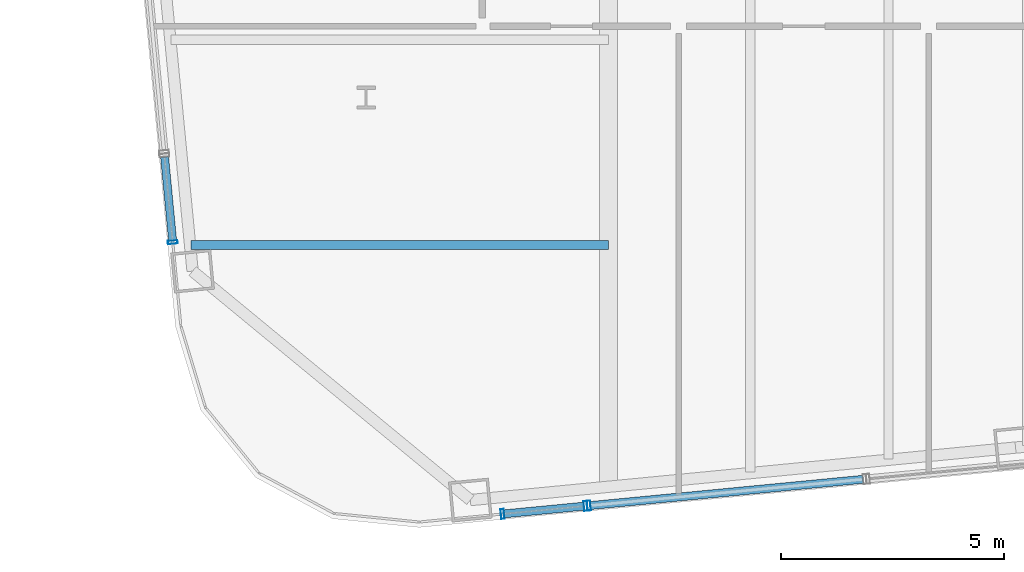
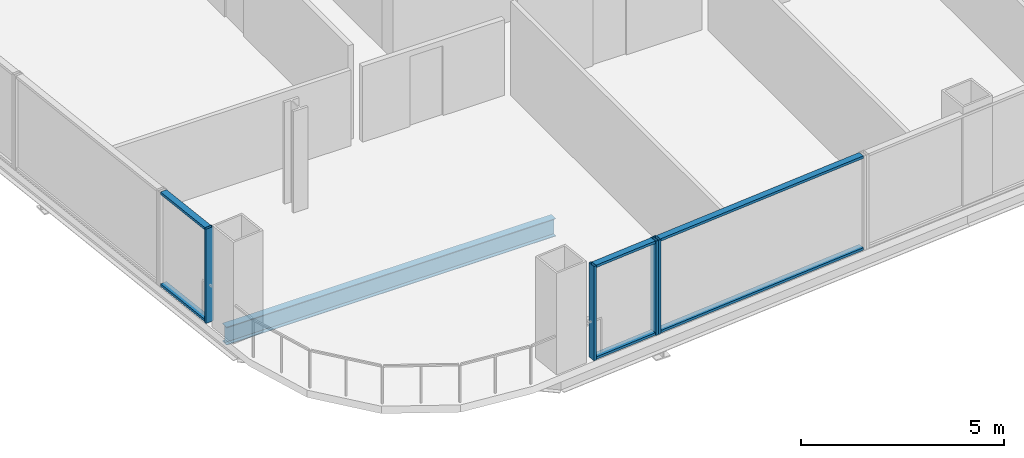
# One storey, part 2 of 34: 10 members, 1 beam, 3 elements without a shape of their own.
"""IFC4 building model written with IfcOpenShell, lengths in metres."""

from ifc_helpers import new_model, si_unit, direction, frame, origin, origin_2d, place, context, subcontext, project, spatial, hollow_rectangle, i_section, extrude, material, layer, layer_set, material_profile, profile_set, type_object, element, aggregate, save


model = new_model("IFC4")

# Units and contexts
model_context = context("Model", 3, precision=1e-05, world=origin(), true_north=direction((0.0, 1.0)))
body_context = subcontext(model_context, "Body", "Model", "MODEL_VIEW")
ifc_project = project(units=[si_unit("LENGTHUNIT", "METRE"), si_unit("AREAUNIT", "SQUARE_METRE"), si_unit("VOLUMEUNIT", "CUBIC_METRE"), si_unit("PLANEANGLEUNIT", "RADIAN"), si_unit("MASSUNIT", "GRAM", prefix="KILO")], contexts=[model_context])

# Site, building, storey
site_placement = place(None, origin())
site = spatial("IfcSite", under=ifc_project, at=site_placement, CompositionType="ELEMENT")
building_placement = place(site_placement, origin())
building = spatial("IfcBuilding", under=site, at=building_placement, Name="Qhalaya Broadcast Tower", CompositionType="ELEMENT")
storey_placement = place(building_placement, frame((0.0, 0.0, 78.60009765625)))
storey = spatial("IfcBuildingStorey", under=building, at=storey_placement, Name="L22", CompositionType="ELEMENT", Elevation=78.60009765625)

# Beam
ifc_material_1 = material(Name="Structural Steel ASTM A992 Grade 50", Category="steel")
ifc_material_profile_1 = material_profile(ifc_material_1, i_section(OverallWidth=0.2099609375, OverallDepth=0.535888671875, WebThickness=0.010986328125, FlangeThickness=0.017333984375, at=origin_2d()), Name="W21X68")
ifc_profile_set_1 = profile_set([ifc_material_profile_1], Name="Structural Steel ASTM A992 Grade 50")
beam_type = type_object("IfcBeamType", Name="Composite Floor Joist J02", PredefinedType="JOIST", material=ifc_profile_set_1)
beam_placement = place(storey_placement, frame((-18.7216796875, -16.5, -0.488037109375), z_axis=(1.0, 0.0, 0.0), x_axis=(0.0, 1.0, 0.0)))
element("IfcBeam", 1, at=beam_placement, inside=storey, type_object=beam_type, Name="L22 J02 L22-JWE1W-1", PredefinedType="JOIST", context=body_context, shape_type="SweptSolid", body=[
    extrude(i_section(OverallWidth=0.2099609375, OverallDepth=0.535888671875, WebThickness=0.010986328125, FlangeThickness=0.017333984375, at=origin_2d()), origin(), (0.0, 0.0, 1.0), 9.3466796875),
])

# Curtain wall, members
ifc_material_2 = material(Name="Solar-Control Low-E Triple Glazing", Category="glass")
ifc_layer_1 = layer(ifc_material_2, 0.219970703125, Name="Solar-Control Low-E Triple Glazing")
ifc_layer_set_1 = layer_set([ifc_layer_1], Name="Solar-Control Low-E Triple Glazing")
curtain_wall_type_1 = type_object("IfcCurtainWallType", Name="Even-Block 4-Storey Double-Module Curtain Wall CW-03", PredefinedType="NOTDEFINED", material=ifc_layer_set_1)
curtain_wall_1_placement = place(storey_placement, origin())
curtain_wall_1 = element("IfcCurtainWall", 2, at=curtain_wall_1_placement, inside=storey, type_object=curtain_wall_type_1, Name="L22 Unitised Curtain Wall L22-CW-S1", PredefinedType="NOTDEFINED")
ifc_material_3 = material(Name="Anodised Aluminium 6063-T6", Category="aluminium")
ifc_material_profile_2 = material_profile(ifc_material_3, hollow_rectangle(XDim=0.074951171875, YDim=0.219970703125, WallThickness=0.00390625, at=origin_2d()), Name="ALU-MUL 75x220x4")
ifc_profile_set_2 = profile_set([ifc_material_profile_2], Name="Anodised Aluminium 6063-T6")
member_type_1 = type_object("IfcMemberType", Name="Unitised Curtain-Wall Mullion M01", PredefinedType="MULLION", material=ifc_profile_set_2)
member_1_placement = place(storey_placement, frame((-11.74462890625, -22.52490234375, 0.0), z_axis=(0.0, 0.0, 1.0), x_axis=(0.99539780127, 0.095829104278, 0.0)))
member_1 = element("IfcMember", 3, at=member_1_placement, type_object=member_type_1, Name="CW-03 mullion 1", PredefinedType="MULLION", context=body_context, shape_type="SweptSolid", body=[
    extrude(hollow_rectangle(XDim=0.074951171875, YDim=0.219970703125, WallThickness=0.00390625, at=origin_2d()), origin(), (0.0, 0.0, 1.0), 2.829833984375),
])
member_2_placement = place(storey_placement, frame((-9.88525390625, -22.345947265625, 0.0), z_axis=(0.0, 0.0, 1.0), x_axis=(0.99539780127, 0.095829104278, 0.0)))
member_2 = element("IfcMember", 4, at=member_2_placement, type_object=member_type_1, Name="CW-03 mullion 2", PredefinedType="MULLION", context=body_context, shape_type="SweptSolid", body=[
    extrude(hollow_rectangle(XDim=0.074951171875, YDim=0.219970703125, WallThickness=0.00390625, at=origin_2d()), origin(), (0.0, 0.0, 1.0), 2.829833984375),
])

# Curtain wall, member
ifc_material_4 = material(Name="Fired Architectural Terracotta", Category="masonry")
ifc_layer_2 = layer(ifc_material_4, 0.219970703125, Name="Fired Architectural Terracotta")
ifc_layer_set_2 = layer_set([ifc_layer_2], Name="Fired Architectural Terracotta")
curtain_wall_type_2 = type_object("IfcCurtainWallType", Name="Block-Cap Unitised Terracotta Spandrel Wall CW-07", PredefinedType="NOTDEFINED", material=ifc_layer_set_2)
curtain_wall_2_placement = place(storey_placement, origin())
curtain_wall_2 = element("IfcCurtainWall", 5, at=curtain_wall_2_placement, inside=storey, type_object=curtain_wall_type_2, Name="L22 Unitised Curtain Wall L22-CW-S2", PredefinedType="NOTDEFINED")
member_3_placement = place(storey_placement, frame((-9.810546875, -22.3388671875, 0.0), z_axis=(0.0, 0.0, 1.0), x_axis=(0.995394666059, 0.095861664819, 0.0)))
member_3 = element("IfcMember", 6, at=member_3_placement, type_object=member_type_1, Name="CW-07 mullion 1", PredefinedType="MULLION", context=body_context, shape_type="SweptSolid", body=[
    extrude(hollow_rectangle(XDim=0.074951171875, YDim=0.219970703125, WallThickness=0.00390625, at=origin_2d()), origin(), (0.0, 0.0, 1.0), 2.829833984375),
])

curtain_wall_3_placement = place(storey_placement, origin())
curtain_wall_3 = element("IfcCurtainWall", 7, at=curtain_wall_3_placement, inside=storey, type_object=curtain_wall_type_1, Name="L22 Unitised Curtain Wall L22-CW-W7", PredefinedType="NOTDEFINED")
member_4_placement = place(storey_placement, frame((-19.129638671875, -16.437255859375, 0.0), z_axis=(0.0, 0.0, 1.0), x_axis=(0.095857964978, -0.995395022366, 0.0)))
member_4 = element("IfcMember", 8, at=member_4_placement, type_object=member_type_1, Name="CW-03 mullion 2", PredefinedType="MULLION", context=body_context, shape_type="SweptSolid", body=[
    extrude(hollow_rectangle(XDim=0.074951171875, YDim=0.219970703125, WallThickness=0.00390625, at=origin_2d()), origin(), (0.0, 0.0, 1.0), 2.829833984375),
])

# Member
ifc_material_profile_3 = material_profile(ifc_material_3, hollow_rectangle(XDim=0.074951171875, YDim=0.179931640625, WallThickness=0.00390625, at=origin_2d()), Name="ALU-TRN 75x180x4")
ifc_profile_set_3 = profile_set([ifc_material_profile_3], Name="Anodised Aluminium 6063-T6")
member_type_2 = type_object("IfcMemberType", Name="Unitised Curtain-Wall Transom T01", PredefinedType="USERDEFINED", material=ifc_profile_set_3)
member_5_placement = place(storey_placement, frame((-11.707275390625, -22.521484375, 0.037353515625), z_axis=(0.995394547598, 0.095862894871, 0.0), x_axis=(0.0, 0.0, 1.0)))
member_5 = element("IfcMember", 9, at=member_5_placement, type_object=member_type_2, Name="CW-03 transom 1.1", ObjectType="TRANSOM", PredefinedType="USERDEFINED", context=body_context, shape_type="SweptSolid", body=[
    extrude(hollow_rectangle(XDim=0.074951171875, YDim=0.179931640625, WallThickness=0.00390625, at=origin_2d()), origin(), (0.0, 0.0, 1.0), 1.79296875),
])

member_6_placement = place(storey_placement, frame((-11.707275390625, -22.521484375, 2.79248046875), z_axis=(0.995394547598, 0.095862894871, 0.0), x_axis=(0.0, 0.0, 1.0)))
member_6 = element("IfcMember", 10, at=member_6_placement, type_object=member_type_2, Name="CW-03 transom 1.2", ObjectType="TRANSOM", PredefinedType="USERDEFINED", context=body_context, shape_type="SweptSolid", body=[
    extrude(hollow_rectangle(XDim=0.074951171875, YDim=0.179931640625, WallThickness=0.00390625, at=origin_2d()), origin(), (0.0, 0.0, 1.0), 1.79296875),
])

aggregate(curtain_wall_1, [member_1, member_2, member_5, member_6])

member_7_placement = place(storey_placement, frame((-9.773193359375, -22.335205078125, 0.037353515625), z_axis=(0.995395594457, 0.095852024158, 0.0), x_axis=(0.0, 0.0, 1.0)))
member_7 = element("IfcMember", 11, at=member_7_placement, type_object=member_type_2, Name="CW-07 transom 1.1", ObjectType="TRANSOM", PredefinedType="USERDEFINED", context=body_context, shape_type="SweptSolid", body=[
    extrude(hollow_rectangle(XDim=0.074951171875, YDim=0.179931640625, WallThickness=0.00390625, at=origin_2d()), origin(), (0.0, 0.0, 1.0), 6.130859375),
])

member_8_placement = place(storey_placement, frame((-9.773193359375, -22.335205078125, 2.79248046875), z_axis=(0.995395594457, 0.095852024158, 0.0), x_axis=(0.0, 0.0, 1.0)))
member_8 = element("IfcMember", 12, at=member_8_placement, type_object=member_type_2, Name="CW-07 transom 1.2", ObjectType="TRANSOM", PredefinedType="USERDEFINED", context=body_context, shape_type="SweptSolid", body=[
    extrude(hollow_rectangle(XDim=0.074951171875, YDim=0.179931640625, WallThickness=0.00390625, at=origin_2d()), origin(), (0.0, 0.0, 1.0), 6.130859375),
])

aggregate(curtain_wall_2, [member_3, member_7, member_8])

member_9_placement = place(storey_placement, frame((-19.313232421875, -14.529541015625, 0.037353515625), z_axis=(0.095759446563, -0.995404504909, 0.0), x_axis=(0.0, 0.0, 1.0)))
member_9 = element("IfcMember", 13, at=member_9_placement, type_object=member_type_2, Name="CW-03 transom 1.1", ObjectType="TRANSOM", PredefinedType="USERDEFINED", context=body_context, shape_type="SweptSolid", body=[
    extrude(hollow_rectangle(XDim=0.074951171875, YDim=0.179931640625, WallThickness=0.00390625, at=origin_2d()), origin(), (0.0, 0.0, 1.0), 1.87890625),
])

member_10_placement = place(storey_placement, frame((-19.313232421875, -14.529541015625, 2.79248046875), z_axis=(0.095759446563, -0.995404504909, 0.0), x_axis=(0.0, 0.0, 1.0)))
member_10 = element("IfcMember", 14, at=member_10_placement, type_object=member_type_2, Name="CW-03 transom 1.2", ObjectType="TRANSOM", PredefinedType="USERDEFINED", context=body_context, shape_type="SweptSolid", body=[
    extrude(hollow_rectangle(XDim=0.074951171875, YDim=0.179931640625, WallThickness=0.00390625, at=origin_2d()), origin(), (0.0, 0.0, 1.0), 1.87890625),
])

aggregate(curtain_wall_3, [member_4, member_9, member_10])

save(model, "model.ifc")
